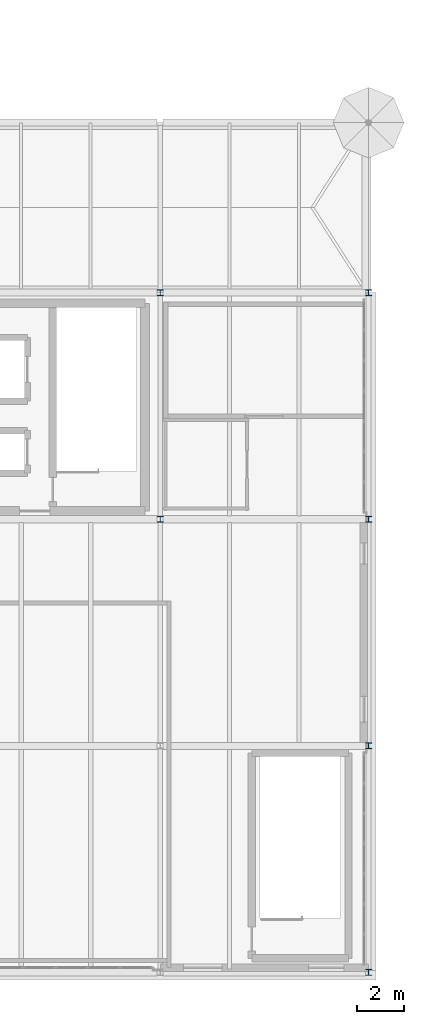
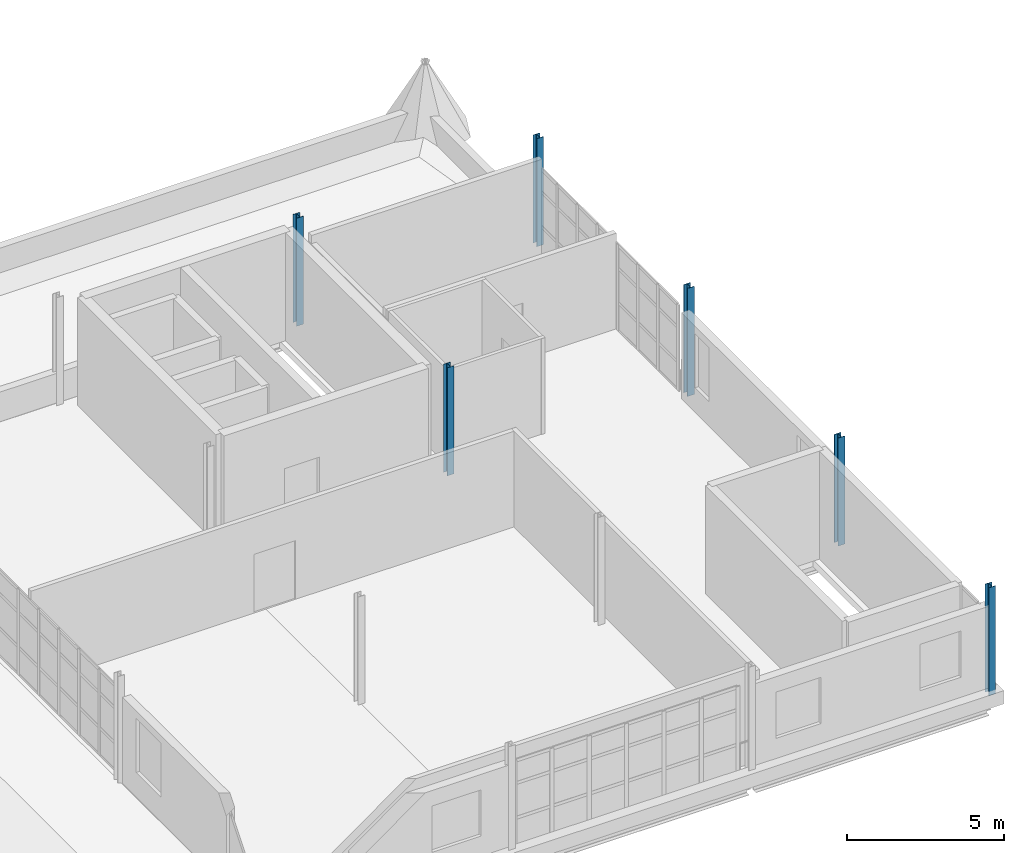
# One storey, part 4 of 28: 6 columns.
"""IFC4 building model written with IfcOpenShell, lengths in metres."""

from ifc_helpers import new_model, si_unit, direction, frame, origin, origin_2d, place, context, subcontext, project, spatial, i_section, extrude, material, material_profile, profile_set, type_object, element, save


model = new_model("IFC4")

# Units and contexts
model_context = context("Model", 3, precision=1e-05, world=origin(), true_north=direction((0.0, 1.0)))
body_context = subcontext(model_context, "Body", "Model", "MODEL_VIEW")
ifc_project = project(units=[si_unit("LENGTHUNIT", "METRE"), si_unit("AREAUNIT", "SQUARE_METRE"), si_unit("VOLUMEUNIT", "CUBIC_METRE"), si_unit("PLANEANGLEUNIT", "RADIAN"), si_unit("MASSUNIT", "GRAM", prefix="KILO")], contexts=[model_context])

# Site, building, storey
site_placement = place(None, origin())
site = spatial("IfcSite", under=ifc_project, at=site_placement, CompositionType="ELEMENT")
building_placement = place(site_placement, origin())
building = spatial("IfcBuilding", under=site, at=building_placement, Name="Yeouljin Market Hall", CompositionType="ELEMENT")
storey_placement = place(building_placement, frame((0.0, 0.0, 15.0)))
storey = spatial("IfcBuildingStorey", under=building, at=storey_placement, Name="L03", CompositionType="ELEMENT", Elevation=15.0)

# Columns
ifc_material = material(Name="Steel SM355", Category="steel")
ifc_material_profile = material_profile(ifc_material, i_section(OverallWidth=0.25, OverallDepth=0.25, WebThickness=0.009033203125, FlangeThickness=0.013916015625, FilletRadius=0.01611328125, at=origin_2d()), Name="H-250x250x9x14")
ifc_profile_set = profile_set([ifc_material_profile], Name="Steel SM355")
column_type = type_object("IfcColumnType", Name="Col_H-250x250x9x14", PredefinedType="COLUMN", material=ifc_profile_set)
for number, where, z_axis, x_axis, name in (
    (1, (167.570068359375, 19.199951171875, 0.0), (0.0, 0.0, 1.0), (1.0, 0.0, 0.0), "Column G-20-02 (L03)"),
    (2, (167.570068359375, 28.800048828125, 0.0), (0.0, 0.0, 1.0), (1.0, 0.0, 0.0), "Column G-20-03 (L03)"),
    (3, (176.39990234375, 0.0, 0.0), (0.0, 0.0, 1.0), (1.0, 0.0, 0.0), "Column G-21-00 (L03)"),
    (4, (176.39990234375, 9.60009765625, 0.0), (0.0, 0.0, 1.0), (1.0, 0.0, 0.0), "Column G-21-01 (L03)"),
    (5, (176.39990234375, 19.199951171875, 0.0), (0.0, 0.0, 1.0), (1.0, 0.0, 0.0), "Column G-21-02 (L03)"),
    (6, (176.39990234375, 28.800048828125, 0.0), (0.0, 0.0, 1.0), (1.0, 0.0, 0.0), "Column G-21-03 (L03)"),
):
    element("IfcColumn", number, at=place(storey_placement, frame(where, z_axis=z_axis, x_axis=x_axis)), inside=storey, type_object=column_type, Name=name, PredefinedType="COLUMN", context=body_context, shape_type="SweptSolid", body=[
        extrude(i_section(OverallWidth=0.25, OverallDepth=0.25, WebThickness=0.009033203125, FlangeThickness=0.013916015625, FilletRadius=0.01611328125, at=origin_2d()), origin(), (0.0, 0.0, 1.0), 4.199951171875),
    ])

save(model, "model.ifc")
